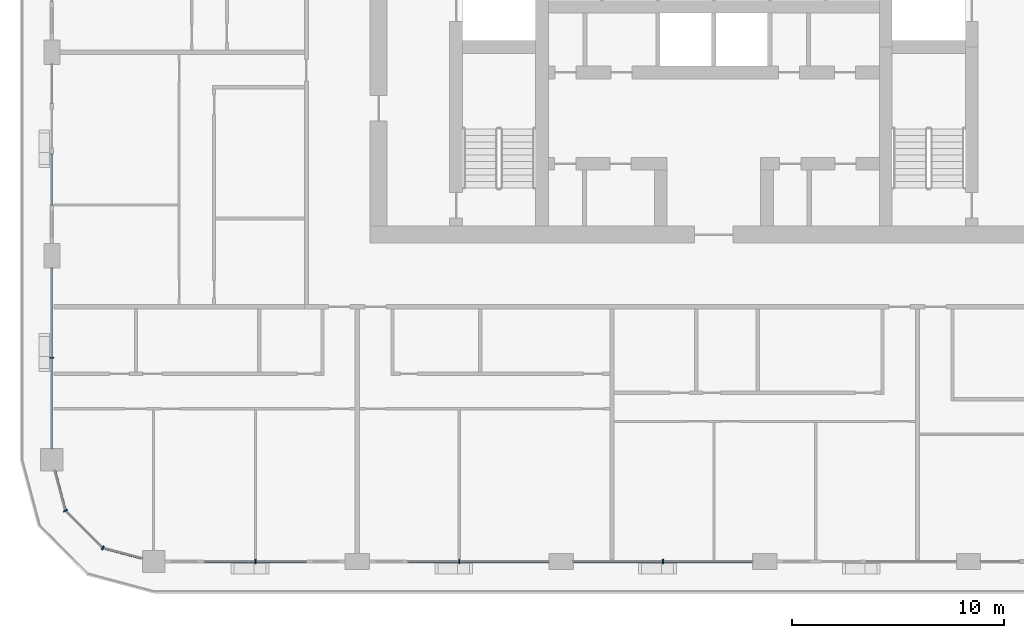
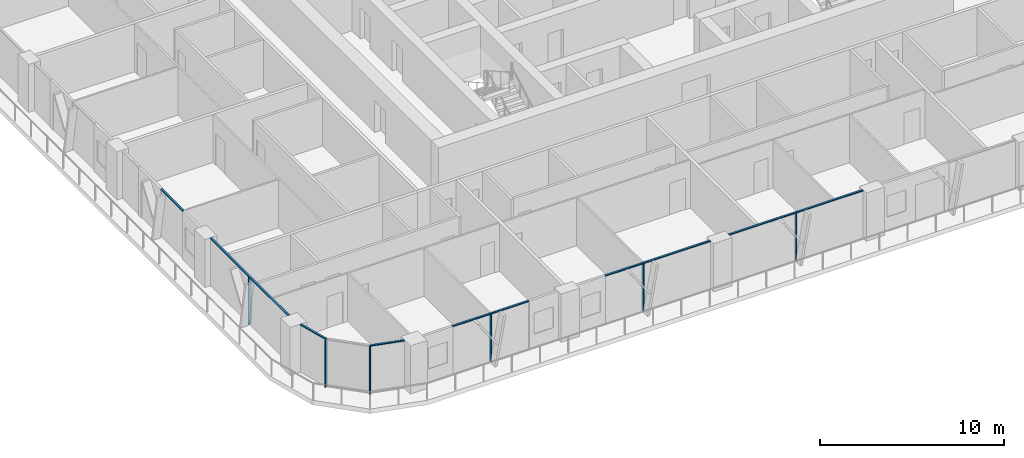
# One storey, part 2 of 22: 13 members, 6 elements without a shape of their own.
"""IFC4 building model written with IfcOpenShell, lengths in metres."""

from ifc_helpers import new_model, si_unit, direction, frame, origin, origin_2d, place, context, subcontext, project, spatial, rectangle, extrude, material, layer, layer_set, material_profile, profile_set, type_object, element, aggregate, save


model = new_model("IFC4")

# Units and contexts
model_context = context("Model", 3, precision=1e-05, world=origin(), true_north=direction((0.0, 1.0)))
body_context = subcontext(model_context, "Body", "Model", "MODEL_VIEW")
ifc_project = project(units=[si_unit("LENGTHUNIT", "METRE"), si_unit("AREAUNIT", "SQUARE_METRE"), si_unit("VOLUMEUNIT", "CUBIC_METRE"), si_unit("PLANEANGLEUNIT", "RADIAN"), si_unit("MASSUNIT", "GRAM", prefix="KILO")], contexts=[model_context])

# Site, building, storey
site_placement = place(None, origin())
site = spatial("IfcSite", under=ifc_project, at=site_placement, CompositionType="ELEMENT")
building_placement = place(site_placement, origin())
building = spatial("IfcBuilding", under=site, at=building_placement, Name="Madar Terraces", CompositionType="ELEMENT")
storey_placement = place(building_placement, frame((0.0, 0.0, 156.0)))
storey = spatial("IfcBuildingStorey", under=building, at=storey_placement, Name="L40", CompositionType="ELEMENT", Elevation=156.0)

# Curtain wall, member
ifc_material_1 = material(Name="Glass, ceramic frit dark grey, with black aluminium frame", Category="aluminium")
ifc_layer = layer(ifc_material_1, 0.199951171875)
ifc_layer_set = layer_set([ifc_layer], Name="Facade curtain wall, fritted glass")
curtain_wall_type = type_object("IfcCurtainWallType", Name="Facade curtain wall, fritted glass", PredefinedType="NOTDEFINED", material=ifc_layer_set)
curtain_wall_1_placement = place(storey_placement, origin())
curtain_wall_1 = element("IfcCurtainWall", 1, at=curtain_wall_1_placement, inside=storey, type_object=curtain_wall_type, Name="Outer skin curtain wall south bay 1", PredefinedType="NOTDEFINED")
ifc_material_2 = material(Name="Aluminium, black anodised", Category="aluminium")
ifc_material_profile_1 = material_profile(ifc_material_2, rectangle(XDim=0.199951171875, YDim=0.06005859375, at=origin_2d()), Name="Facade mullion 60x200")
ifc_profile_set_1 = profile_set([ifc_material_profile_1], Name="Aluminium, black anodised")
member_type_1 = type_object("IfcMemberType", Name="Facade mullion 60x200", PredefinedType="MULLION", material=ifc_profile_set_1)
member_1_placement = place(storey_placement, frame((9.60009765625, 0.0, 0.0), z_axis=(0.0, 0.0, 1.0), x_axis=(0.0, 1.0, 0.0)))
member_1 = element("IfcMember", 2, at=member_1_placement, type_object=member_type_1, Name="Mullion 1", PredefinedType="MULLION", context=body_context, shape_type="SweptSolid", body=[
    extrude(rectangle(XDim=0.199951171875, YDim=0.06005859375, at=origin_2d()), origin(), (0.0, 0.0, 1.0), 3.139892578125),
])

curtain_wall_2_placement = place(storey_placement, origin())
curtain_wall_2 = element("IfcCurtainWall", 3, at=curtain_wall_2_placement, inside=storey, type_object=curtain_wall_type, Name="Outer skin curtain wall south bay 2", PredefinedType="NOTDEFINED")
member_2_placement = place(storey_placement, frame((19.199951171875, 0.0, 0.0), z_axis=(0.0, 0.0, 1.0), x_axis=(0.0, 1.0, 0.0)))
member_2 = element("IfcMember", 4, at=member_2_placement, type_object=member_type_1, Name="Mullion 1", PredefinedType="MULLION", context=body_context, shape_type="SweptSolid", body=[
    extrude(rectangle(XDim=0.199951171875, YDim=0.06005859375, at=origin_2d()), origin(), (0.0, 0.0, 1.0), 3.139892578125),
])

curtain_wall_3_placement = place(storey_placement, origin())
curtain_wall_3 = element("IfcCurtainWall", 5, at=curtain_wall_3_placement, inside=storey, type_object=curtain_wall_type, Name="Outer skin curtain wall south bay 3", PredefinedType="NOTDEFINED")
member_3_placement = place(storey_placement, frame((28.800048828125, 0.0, 0.0), z_axis=(0.0, 0.0, 1.0), x_axis=(0.0, 1.0, 0.0)))
member_3 = element("IfcMember", 6, at=member_3_placement, type_object=member_type_1, Name="Mullion 1", PredefinedType="MULLION", context=body_context, shape_type="SweptSolid", body=[
    extrude(rectangle(XDim=0.199951171875, YDim=0.06005859375, at=origin_2d()), origin(), (0.0, 0.0, 1.0), 3.139892578125),
])

curtain_wall_4_placement = place(storey_placement, origin())
curtain_wall_4 = element("IfcCurtainWall", 7, at=curtain_wall_4_placement, inside=storey, type_object=curtain_wall_type, Name="Outer skin curtain wall west bay 4", PredefinedType="NOTDEFINED")
member_4_placement = place(storey_placement, frame((0.0, 9.60009765625, 0.0), z_axis=(0.0, 0.0, 1.0), x_axis=(1.0, 0.0, 0.0)))
member_4 = element("IfcMember", 8, at=member_4_placement, type_object=member_type_1, Name="Mullion 1", PredefinedType="MULLION", context=body_context, shape_type="SweptSolid", body=[
    extrude(rectangle(XDim=0.199951171875, YDim=0.06005859375, at=origin_2d()), origin(), (0.0, 0.0, 1.0), 3.139892578125),
])

# Curtain wall, members
curtain_wall_5_placement = place(storey_placement, origin())
curtain_wall_5 = element("IfcCurtainWall", 9, at=curtain_wall_5_placement, inside=storey, type_object=curtain_wall_type, Name="Outer skin curtain wall south-west corner", PredefinedType="NOTDEFINED")
member_5_placement = place(storey_placement, frame((0.64306640625, 2.39990234375, 0.0), z_axis=(0.0, 0.0, 1.0), x_axis=(0.866025409797, 0.499999989586, 0.0)))
member_5 = element("IfcMember", 10, at=member_5_placement, type_object=member_type_1, Name="Mullion 1", PredefinedType="MULLION", context=body_context, shape_type="SweptSolid", body=[
    extrude(rectangle(XDim=0.199951171875, YDim=0.06005859375, at=origin_2d()), origin(), (0.0, 0.0, 1.0), 3.139892578125),
])
member_6_placement = place(storey_placement, frame((2.39990234375, 0.64306640625, 0.0), z_axis=(0.0, 0.0, 1.0), x_axis=(0.499999989586, 0.866025409797, 0.0)))
member_6 = element("IfcMember", 11, at=member_6_placement, type_object=member_type_1, Name="Mullion 2", PredefinedType="MULLION", context=body_context, shape_type="SweptSolid", body=[
    extrude(rectangle(XDim=0.199951171875, YDim=0.06005859375, at=origin_2d()), origin(), (0.0, 0.0, 1.0), 3.139892578125),
])

# Member
ifc_material_3 = material(Name="Aluminium, black anodised", Category="aluminium")
ifc_material_profile_2 = material_profile(ifc_material_3, rectangle(XDim=0.1201171875, YDim=0.06005859375, at=origin_2d()), Name="Facade transom 60x120")
ifc_profile_set_2 = profile_set([ifc_material_profile_2], Name="Aluminium, black anodised")
member_type_2 = type_object("IfcMemberType", Name="Facade transom 60x120", PredefinedType="USERDEFINED", material=ifc_profile_set_2)
member_7_placement = place(storey_placement, frame((7.199951171875, 0.0, 3.169921875), z_axis=(1.0, 0.0, 0.0), x_axis=(0.0, 1.0, 0.0)))
member_7 = element("IfcMember", 12, at=member_7_placement, type_object=member_type_2, Name="Transom 1", ObjectType="TRANSOM", PredefinedType="USERDEFINED", context=body_context, shape_type="SweptSolid", body=[
    extrude(rectangle(XDim=0.1201171875, YDim=0.06005859375, at=origin_2d()), origin(), (0.0, 0.0, 1.0), 4.800048828125),
])

aggregate(curtain_wall_1, [member_1, member_7])

member_8_placement = place(storey_placement, frame((16.800048828125, 0.0, 3.169921875), z_axis=(1.0, 0.0, 0.0), x_axis=(0.0, 1.0, 0.0)))
member_8 = element("IfcMember", 13, at=member_8_placement, type_object=member_type_2, Name="Transom 1", ObjectType="TRANSOM", PredefinedType="USERDEFINED", context=body_context, shape_type="SweptSolid", body=[
    extrude(rectangle(XDim=0.1201171875, YDim=0.06005859375, at=origin_2d()), origin(), (0.0, 0.0, 1.0), 6.625),
])

aggregate(curtain_wall_2, [member_2, member_8])

member_9_placement = place(storey_placement, frame((24.574951171875, 0.0, 3.169921875), z_axis=(1.0, 0.0, 0.0), x_axis=(0.0, 1.0, 0.0)))
member_9 = element("IfcMember", 14, at=member_9_placement, type_object=member_type_2, Name="Transom 1", ObjectType="TRANSOM", PredefinedType="USERDEFINED", context=body_context, shape_type="SweptSolid", body=[
    extrude(rectangle(XDim=0.1201171875, YDim=0.06005859375, at=origin_2d()), origin(), (0.0, 0.0, 1.0), 8.449951171875),
])

aggregate(curtain_wall_3, [member_3, member_9])

# Curtain wall, member
curtain_wall_6_placement = place(storey_placement, origin())
curtain_wall_6 = element("IfcCurtainWall", 15, at=curtain_wall_6_placement, inside=storey, type_object=curtain_wall_type, Name="Outer skin curtain wall west bay 3", PredefinedType="NOTDEFINED")
member_10_placement = place(storey_placement, frame((0.0, 19.199951171875, 3.169921875), z_axis=(0.0, -1.0, 0.0), x_axis=(1.0, 0.0, 0.0)))
member_10 = element("IfcMember", 16, at=member_10_placement, type_object=member_type_2, Name="Transom 2", ObjectType="TRANSOM", PredefinedType="USERDEFINED", context=body_context, shape_type="SweptSolid", body=[
    extrude(rectangle(XDim=0.1201171875, YDim=0.06005859375, at=origin_2d()), origin(), (0.0, 0.0, 1.0), 2.39990234375),
])
aggregate(curtain_wall_6, [member_10])

# Member
member_11_placement = place(storey_placement, frame((0.0, 13.824951171875, 3.169921875), z_axis=(0.0, -1.0, 0.0), x_axis=(1.0, 0.0, 0.0)))
member_11 = element("IfcMember", 17, at=member_11_placement, type_object=member_type_2, Name="Transom 1", ObjectType="TRANSOM", PredefinedType="USERDEFINED", context=body_context, shape_type="SweptSolid", body=[
    extrude(rectangle(XDim=0.1201171875, YDim=0.06005859375, at=origin_2d()), origin(), (0.0, 0.0, 1.0), 8.5),
])

aggregate(curtain_wall_4, [member_4, member_11])

member_12_placement = place(storey_placement, frame((0.140625, 4.27490234375, 3.169921875), z_axis=(0.258823354654, -0.965924671538, 0.0), x_axis=(0.965924671538, 0.258823354654, 0.0)))
member_12 = element("IfcMember", 18, at=member_12_placement, type_object=member_type_2, Name="Transom 1", ObjectType="TRANSOM", PredefinedType="USERDEFINED", context=body_context, shape_type="SweptSolid", body=[
    extrude(rectangle(XDim=0.1201171875, YDim=0.06005859375, at=origin_2d()), origin(), (0.0, 0.0, 1.0), 1.9111328125),
])

member_13_placement = place(storey_placement, frame((2.428955078125, 0.63525390625, 3.169921875), z_axis=(0.965924671538, -0.258823354654, 0.0), x_axis=(0.258823354654, 0.965924671538, 0.0)))
member_13 = element("IfcMember", 19, at=member_13_placement, type_object=member_type_2, Name="Transom 3", ObjectType="TRANSOM", PredefinedType="USERDEFINED", context=body_context, shape_type="SweptSolid", body=[
    extrude(rectangle(XDim=0.1201171875, YDim=0.06005859375, at=origin_2d()), origin(), (0.0, 0.0, 1.0), 1.9111328125),
])

aggregate(curtain_wall_5, [member_5, member_12, member_6, member_13])

save(model, "model.ifc")
